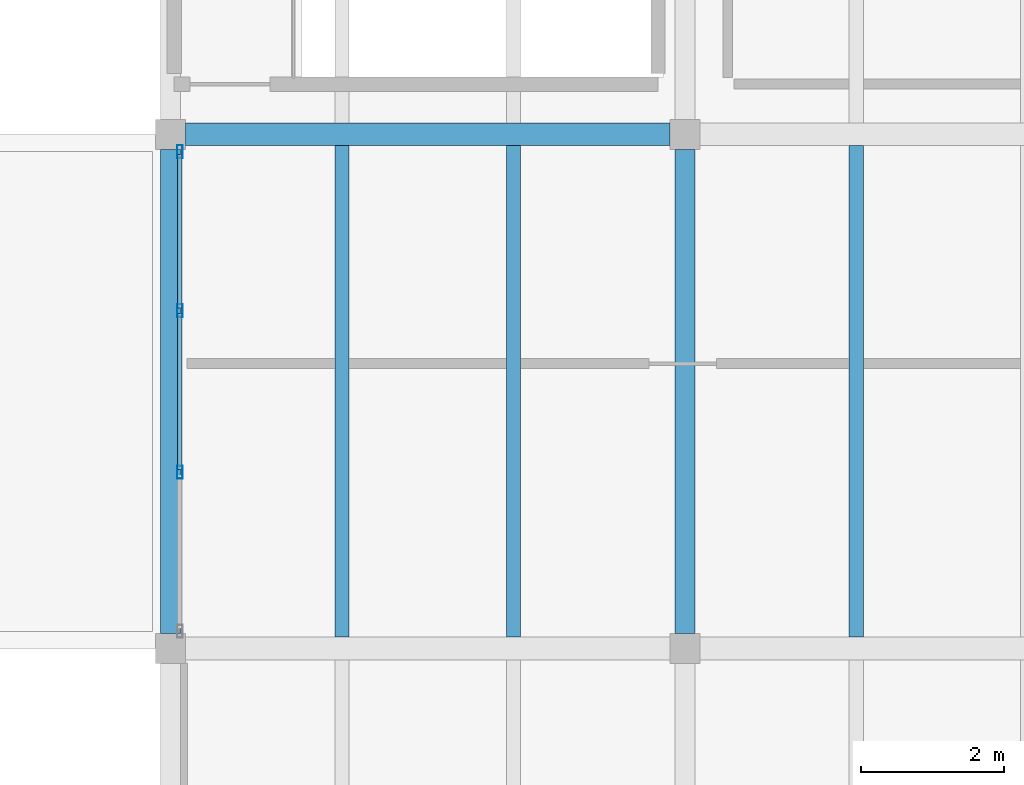
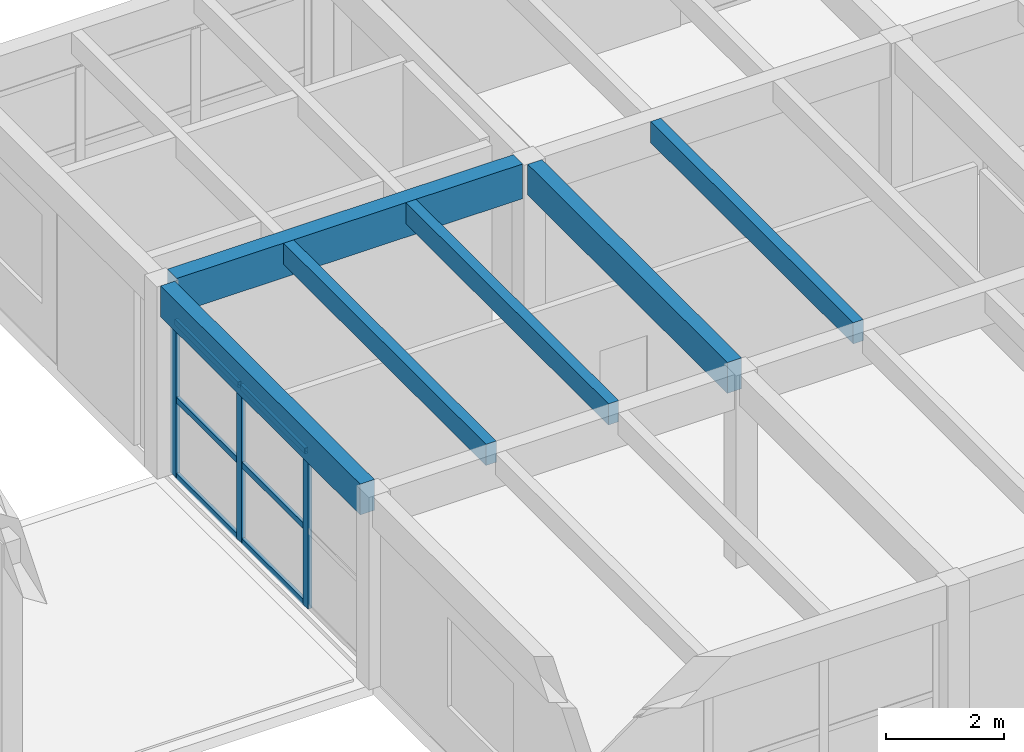
# One storey, part 22 of 68: 9 members, 6 beams, 1 element without a shape of its own.
"""IFC4 building model written with IfcOpenShell, lengths in metres."""

from ifc_helpers import new_model, si_unit, direction, frame, origin, origin_2d, place, context, subcontext, project, spatial, rectangle, hollow_rectangle, extrude, material, material_profile, profile_set, type_object, element, aggregate, save


model = new_model("IFC4")

# Units and contexts
model_context = context("Model", 3, precision=1e-05, world=origin(), true_north=direction((0.0, 1.0)))
body_context = subcontext(model_context, "Body", "Model", "MODEL_VIEW")
ifc_project = project(units=[si_unit("LENGTHUNIT", "METRE"), si_unit("AREAUNIT", "SQUARE_METRE"), si_unit("VOLUMEUNIT", "CUBIC_METRE"), si_unit("PLANEANGLEUNIT", "RADIAN"), si_unit("MASSUNIT", "GRAM", prefix="KILO")], contexts=[model_context])

# Site, building, storey
site_placement = place(None, origin())
site = spatial("IfcSite", under=ifc_project, at=site_placement, CompositionType="ELEMENT")
building_placement = place(site_placement, origin())
building = spatial("IfcBuilding", under=site, at=building_placement, Name="Bramvelor Terrace Health Centre", CompositionType="ELEMENT")
storey_placement = place(building_placement, frame((0.0, 0.0, 9.300048828125)))
storey = spatial("IfcBuildingStorey", under=building, at=storey_placement, Name="L03", CompositionType="ELEMENT", Elevation=9.300048828125)

# Beams
ifc_material_1 = material(Name="Glulam GL28h", Category="wood")
ifc_material_profile_1 = material_profile(ifc_material_1, rectangle(XDim=0.280029296875, YDim=0.639892578125, at=origin_2d()), Name="GL 280x640")
ifc_profile_set_1 = profile_set([ifc_material_profile_1], Name="Glulam GL28h")
beam_type_1 = type_object("IfcBeamType", Name="BM-GL-G640", PredefinedType="BEAM", material=ifc_profile_set_1)
for number, where, z_axis, x_axis, name in (
    (1, (100.800048828125, 50.610107421875, 3.669921875), (0.0, 1.0, 0.0), (-1.0, 0.0, 0.0), "L03 Floor Girder"),
    (2, (108.0, 50.610107421875, 3.669921875), (0.0, 1.0, 0.0), (-1.0, 0.0, 0.0), "L03 Floor Girder"),
):
    element("IfcBeam", number, at=place(storey_placement, frame(where, z_axis=z_axis, x_axis=x_axis)), inside=storey, type_object=beam_type_1, Name=name, PredefinedType="BEAM", context=body_context, shape_type="SweptSolid", body=[
        extrude(rectangle(XDim=0.280029296875, YDim=0.639892578125, at=origin_2d()), origin(), (0.0, 0.0, 1.0), 6.77978515625),
    ])
ifc_material_2 = material(Name="Glulam GL28h", Category="wood")
ifc_material_profile_2 = material_profile(ifc_material_2, rectangle(XDim=0.320068359375, YDim=0.719970703125, at=origin_2d()), Name="GL 320x720")
ifc_profile_set_2 = profile_set([ifc_material_profile_2], Name="Glulam GL28h")
beam_type_2 = type_object("IfcBeamType", Name="BM-GL-G720", PredefinedType="BEAM", material=ifc_profile_set_2)
beam_placement = place(storey_placement, frame((101.010009765625, 57.60009765625, 3.6298828125), z_axis=(1.0, 0.0, 0.0), x_axis=(0.0, 1.0, 0.0)))
element("IfcBeam", 3, at=beam_placement, inside=storey, type_object=beam_type_2, Name="L03 Floor Girder", PredefinedType="BEAM", context=body_context, shape_type="SweptSolid", body=[
    extrude(rectangle(XDim=0.320068359375, YDim=0.719970703125, at=origin_2d()), origin(), (0.0, 0.0, 1.0), 6.780029296875),
])
ifc_material_3 = material(Name="Glulam GL28h", Category="wood")
ifc_material_profile_3 = material_profile(ifc_material_3, rectangle(XDim=0.199951171875, YDim=0.43994140625, at=origin_2d()), Name="GL 200x440")
ifc_profile_set_3 = profile_set([ifc_material_profile_3], Name="Glulam GL28h")
beam_type_3 = type_object("IfcBeamType", Name="BM-GL-J440", PredefinedType="JOIST", material=ifc_profile_set_3)
for number, where, z_axis, x_axis, name in (
    (4, (103.199951171875, 50.56005859375, 3.77001953125), (0.0, 1.0, 0.0), (-1.0, 0.0, 0.0), "L03 Secondary Floor Joist"),
    (5, (105.60009765625, 50.56005859375, 3.77001953125), (0.0, 1.0, 0.0), (-1.0, 0.0, 0.0), "L03 Secondary Floor Joist"),
    (6, (110.39990234375, 50.56005859375, 3.77001953125), (0.0, 1.0, 0.0), (-1.0, 0.0, 0.0), "L03 Secondary Floor Joist"),
):
    element("IfcBeam", number, at=place(storey_placement, frame(where, z_axis=z_axis, x_axis=x_axis)), inside=storey, type_object=beam_type_3, Name=name, PredefinedType="JOIST", context=body_context, shape_type="SweptSolid", body=[
        extrude(rectangle(XDim=0.199951171875, YDim=0.43994140625, at=origin_2d()), origin(), (0.0, 0.0, 1.0), 6.8798828125),
    ])

# Curtain wall, members
ifc_material_4 = material(Name="Anodized aluminium and double low-E glass", Category="aluminium")
curtain_wall_type = type_object("IfcCurtainWallType", Name="CW-SYS-27", PredefinedType="NOTDEFINED", material=ifc_material_4)
curtain_wall_placement = place(storey_placement, origin())
curtain_wall = element("IfcCurtainWall", 7, at=curtain_wall_placement, inside=storey, type_object=curtain_wall_type, Name="L03 Unitized Curtain Wall 161", PredefinedType="NOTDEFINED")
ifc_material_5 = material(Name="Anodized aluminium 6063-T6", Category="aluminium")
ifc_material_profile_4 = material_profile(ifc_material_5, hollow_rectangle(XDim=0.074951171875, YDim=0.179931640625, WallThickness=0.00341796875, at=origin_2d()), Name="ALU-MUL 75x180x3.5")
ifc_profile_set_4 = profile_set([ifc_material_profile_4], Name="Anodized aluminium 6063-T6")
member_type_1 = type_object("IfcMemberType", Name="CW-MUL-65x180", PredefinedType="MULLION", material=ifc_profile_set_4)
member_1_placement = place(storey_placement, frame((100.929931640625, 52.868408203125, 0.0), z_axis=(0.0, 0.0, 1.0), x_axis=(-1.0, 0.0, 0.0)))
member_1 = element("IfcMember", 8, at=member_1_placement, type_object=member_type_1, Name="CW-27 mullion 2", PredefinedType="MULLION", context=body_context, shape_type="SweptSolid", body=[
    extrude(hollow_rectangle(XDim=0.074951171875, YDim=0.179931640625, WallThickness=0.00341796875, at=origin_2d()), origin(), (0.0, 0.0, 1.0), 3.22998046875),
])
member_2_placement = place(storey_placement, frame((100.929931640625, 55.131591796875, 0.0), z_axis=(0.0, 0.0, 1.0), x_axis=(-1.0, 0.0, 0.0)))
member_2 = element("IfcMember", 9, at=member_2_placement, type_object=member_type_1, Name="CW-27 mullion 3", PredefinedType="MULLION", context=body_context, shape_type="SweptSolid", body=[
    extrude(hollow_rectangle(XDim=0.074951171875, YDim=0.179931640625, WallThickness=0.00341796875, at=origin_2d()), origin(), (0.0, 0.0, 1.0), 3.22998046875),
])
member_3_placement = place(storey_placement, frame((100.929931640625, 57.357421875, 0.0), z_axis=(0.0, 0.0, 1.0), x_axis=(-1.0, 0.0, 0.0)))
member_3 = element("IfcMember", 10, at=member_3_placement, type_object=member_type_1, Name="CW-27 mullion 4", PredefinedType="MULLION", context=body_context, shape_type="SweptSolid", body=[
    extrude(hollow_rectangle(XDim=0.074951171875, YDim=0.179931640625, WallThickness=0.00341796875, at=origin_2d()), origin(), (0.0, 0.0, 1.0), 3.22998046875),
])
ifc_material_6 = material(Name="Anodized aluminium 6063-T6", Category="aluminium")
ifc_material_profile_5 = material_profile(ifc_material_6, hollow_rectangle(XDim=0.06494140625, YDim=0.1201171875, WallThickness=0.0029296875, at=origin_2d()), Name="ALU-TRN 65x120x3.0")
ifc_profile_set_5 = profile_set([ifc_material_profile_5], Name="Anodized aluminium 6063-T6")
member_type_2 = type_object("IfcMemberType", Name="CW-TRN-65x150", PredefinedType="USERDEFINED", material=ifc_profile_set_5)
member_4_placement = place(storey_placement, frame((100.929931640625, 52.90576171875, 0.032470703125), z_axis=(0.0, 1.0, 0.0), x_axis=(-1.0, 0.0, 0.0)))
member_4 = element("IfcMember", 11, at=member_4_placement, type_object=member_type_2, Name="CW-27 transom 2.1", ObjectType="TRANSOM", PredefinedType="USERDEFINED", context=body_context, shape_type="SweptSolid", body=[
    extrude(hollow_rectangle(XDim=0.06494140625, YDim=0.1201171875, WallThickness=0.0029296875, at=origin_2d()), origin(), (0.0, 0.0, 1.0), 2.1884765625),
])
member_5_placement = place(storey_placement, frame((100.929931640625, 52.90576171875, 1.614990234375), z_axis=(0.0, 1.0, 0.0), x_axis=(-1.0, 0.0, 0.0)))
member_5 = element("IfcMember", 12, at=member_5_placement, type_object=member_type_2, Name="CW-27 transom 2.2", ObjectType="TRANSOM", PredefinedType="USERDEFINED", context=body_context, shape_type="SweptSolid", body=[
    extrude(hollow_rectangle(XDim=0.06494140625, YDim=0.1201171875, WallThickness=0.0029296875, at=origin_2d()), origin(), (0.0, 0.0, 1.0), 2.1884765625),
])
member_6_placement = place(storey_placement, frame((100.929931640625, 52.90576171875, 3.197509765625), z_axis=(0.0, 1.0, 0.0), x_axis=(-1.0, 0.0, 0.0)))
member_6 = element("IfcMember", 13, at=member_6_placement, type_object=member_type_2, Name="CW-27 transom 2.3", ObjectType="TRANSOM", PredefinedType="USERDEFINED", context=body_context, shape_type="SweptSolid", body=[
    extrude(hollow_rectangle(XDim=0.06494140625, YDim=0.1201171875, WallThickness=0.0029296875, at=origin_2d()), origin(), (0.0, 0.0, 1.0), 2.1884765625),
])
member_7_placement = place(storey_placement, frame((100.929931640625, 55.169189453125, 0.032470703125), z_axis=(0.0, 1.0, 0.0), x_axis=(-1.0, 0.0, 0.0)))
member_7 = element("IfcMember", 14, at=member_7_placement, type_object=member_type_2, Name="CW-27 transom 3.1", ObjectType="TRANSOM", PredefinedType="USERDEFINED", context=body_context, shape_type="SweptSolid", body=[
    extrude(hollow_rectangle(XDim=0.06494140625, YDim=0.1201171875, WallThickness=0.0029296875, at=origin_2d()), origin(), (0.0, 0.0, 1.0), 2.15087890625),
])
member_8_placement = place(storey_placement, frame((100.929931640625, 55.169189453125, 1.614990234375), z_axis=(0.0, 1.0, 0.0), x_axis=(-1.0, 0.0, 0.0)))
member_8 = element("IfcMember", 15, at=member_8_placement, type_object=member_type_2, Name="CW-27 transom 3.2", ObjectType="TRANSOM", PredefinedType="USERDEFINED", context=body_context, shape_type="SweptSolid", body=[
    extrude(hollow_rectangle(XDim=0.06494140625, YDim=0.1201171875, WallThickness=0.0029296875, at=origin_2d()), origin(), (0.0, 0.0, 1.0), 2.15087890625),
])
member_9_placement = place(storey_placement, frame((100.929931640625, 55.169189453125, 3.197509765625), z_axis=(0.0, 1.0, 0.0), x_axis=(-1.0, 0.0, 0.0)))
member_9 = element("IfcMember", 16, at=member_9_placement, type_object=member_type_2, Name="CW-27 transom 3.3", ObjectType="TRANSOM", PredefinedType="USERDEFINED", context=body_context, shape_type="SweptSolid", body=[
    extrude(hollow_rectangle(XDim=0.06494140625, YDim=0.1201171875, WallThickness=0.0029296875, at=origin_2d()), origin(), (0.0, 0.0, 1.0), 2.15087890625),
])
aggregate(curtain_wall, [member_1, member_2, member_3, member_4, member_5, member_6, member_7, member_8, member_9])

save(model, "model.ifc")
